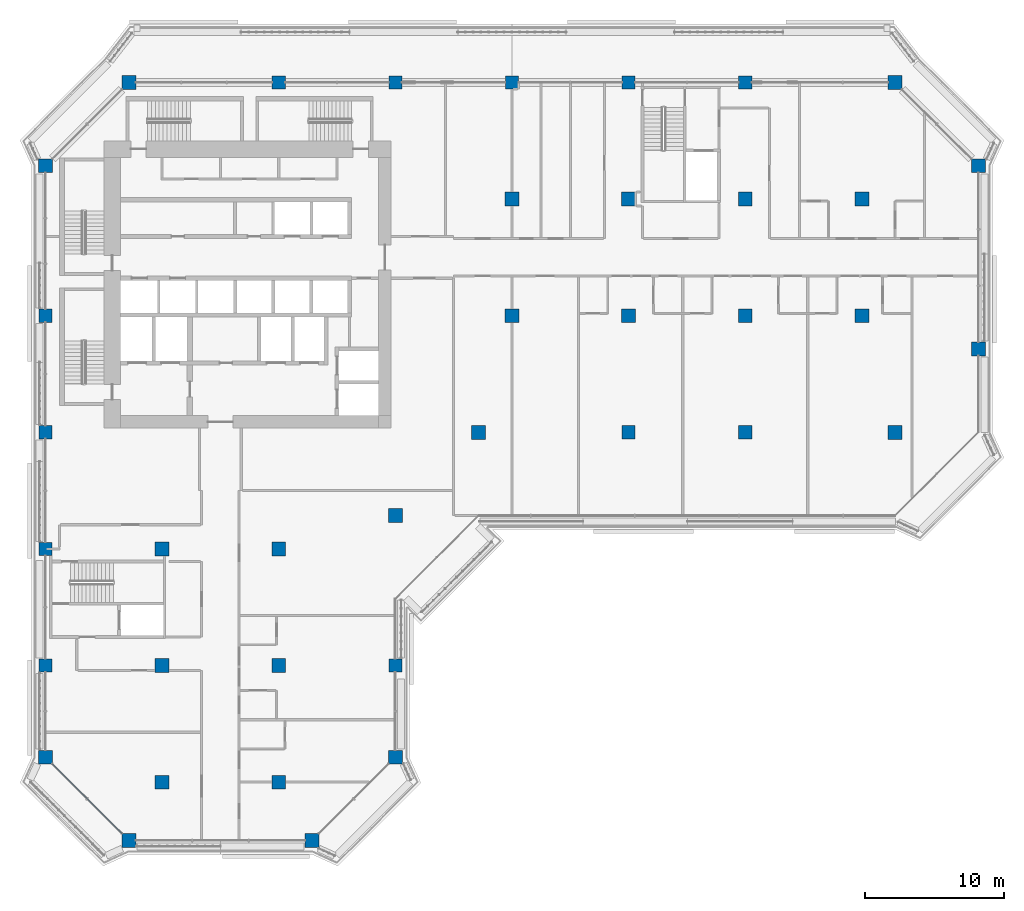
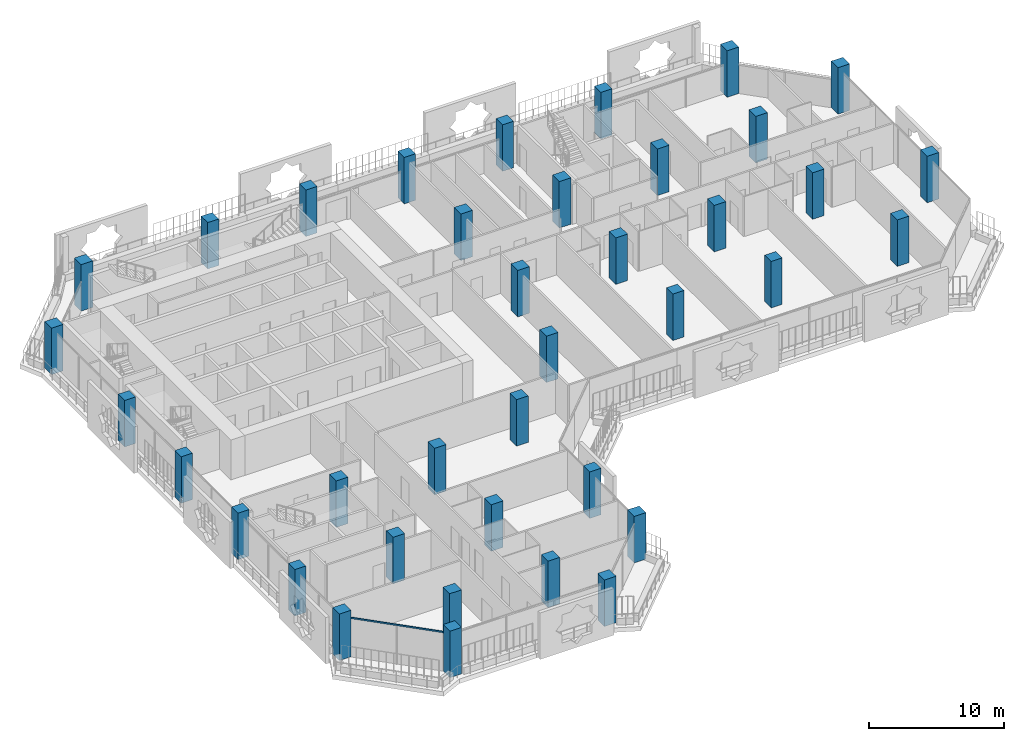
# One storey, part 1 of 22: 38 columns, 1 member, 1 element without a shape of its own.
"""IFC4 building model written with IfcOpenShell, lengths in metres."""

from ifc_helpers import new_model, si_unit, direction, frame, origin, origin_2d, place, context, subcontext, project, spatial, rectangle, extrude, material, layer, layer_set, material_profile, profile_set, type_object, element, aggregate, save


model = new_model("IFC4")

# Units and contexts
model_context = context("Model", 3, precision=1e-05, world=origin(), true_north=direction((0.0, 1.0)))
body_context = subcontext(model_context, "Body", "Model", "MODEL_VIEW")
ifc_project = project(units=[si_unit("LENGTHUNIT", "METRE"), si_unit("AREAUNIT", "SQUARE_METRE"), si_unit("VOLUMEUNIT", "CUBIC_METRE"), si_unit("PLANEANGLEUNIT", "RADIAN"), si_unit("MASSUNIT", "GRAM", prefix="KILO")], contexts=[model_context])

# Site, building, storey
site_placement = place(None, origin())
site = spatial("IfcSite", under=ifc_project, at=site_placement, CompositionType="ELEMENT")
building_placement = place(site_placement, origin())
building = spatial("IfcBuilding", under=site, at=building_placement, Name="Kawkab Arch Medical Tower", CompositionType="ELEMENT")
storey_placement = place(building_placement, frame((0.0, 0.0, 187.800048828125)))
storey = spatial("IfcBuildingStorey", under=building, at=storey_placement, Name="L43", CompositionType="ELEMENT", Elevation=187.800048828125)

# Columns
ifc_material_1 = material(Name="Concrete C50/60", Category="concrete")
ifc_material_profile_1 = material_profile(ifc_material_1, rectangle(XDim=1.0, YDim=1.0, at=origin_2d()), Name="RC 1000x1000")
ifc_profile_set_1 = profile_set([ifc_material_profile_1], Name="Concrete C50/60")
column_type_1 = type_object("IfcColumnType", Name="RC 1000x1000 column C50/60", PredefinedType="COLUMN", material=ifc_profile_set_1)
for number, where, z_axis, x_axis, name in (
    (1, (6.0, 0.0, 0.0), (0.0, 0.0, 1.0), (1.0, 0.0, 0.0), "Column RC 1000x1000"),
    (2, (61.199951171875, 0.0, 0.0), (0.0, 0.0, 1.0), (1.0, 0.0, 0.0), "Column RC 1000x1000"),
    (3, (0.0, -6.0, 0.0), (0.0, 0.0, 1.0), (1.0, 0.0, 0.0), "Column RC 1000x1000"),
    (4, (67.199951171875, -6.0, 0.0), (0.0, 0.0, 1.0), (1.0, 0.0, 0.0), "Column RC 1000x1000"),
    (5, (33.60009765625, -8.39990234375, 0.0), (0.0, 0.0, 1.0), (1.0, 0.0, 0.0), "Column RC 1000x1000"),
    (6, (42.0, -8.39990234375, 0.0), (0.0, 0.0, 1.0), (1.0, 0.0, 0.0), "Column RC 1000x1000"),
    (7, (50.39990234375, -8.39990234375, 0.0), (0.0, 0.0, 1.0), (1.0, 0.0, 0.0), "Column RC 1000x1000"),
    (8, (58.800048828125, -8.39990234375, 0.0), (0.0, 0.0, 1.0), (1.0, 0.0, 0.0), "Column RC 1000x1000"),
    (9, (33.60009765625, -16.800048828125, 0.0), (0.0, 0.0, 1.0), (1.0, 0.0, 0.0), "Column RC 1000x1000"),
    (10, (42.0, -16.800048828125, 0.0), (0.0, 0.0, 1.0), (1.0, 0.0, 0.0), "Column RC 1000x1000"),
    (11, (50.39990234375, -16.800048828125, 0.0), (0.0, 0.0, 1.0), (1.0, 0.0, 0.0), "Column RC 1000x1000"),
    (12, (58.800048828125, -16.800048828125, 0.0), (0.0, 0.0, 1.0), (1.0, 0.0, 0.0), "Column RC 1000x1000"),
    (13, (67.199951171875, -19.199951171875, 0.0), (0.0, 0.0, 1.0), (1.0, 0.0, 0.0), "Column RC 1000x1000"),
    (14, (31.199951171875, -25.199951171875, 0.0), (0.0, 0.0, 1.0), (1.0, 0.0, 0.0), "Column RC 1000x1000"),
    (15, (61.199951171875, -25.199951171875, 0.0), (0.0, 0.0, 1.0), (1.0, 0.0, 0.0), "Column RC 1000x1000"),
    (16, (25.199951171875, -31.199951171875, 0.0), (0.0, 0.0, 1.0), (1.0, 0.0, 0.0), "Column RC 1000x1000"),
    (17, (8.39990234375, -33.60009765625, 0.0), (0.0, 0.0, 1.0), (1.0, 0.0, 0.0), "Column RC 1000x1000"),
    (18, (16.800048828125, -33.60009765625, 0.0), (0.0, 0.0, 1.0), (1.0, 0.0, 0.0), "Column RC 1000x1000"),
    (19, (8.39990234375, -42.0, 0.0), (0.0, 0.0, 1.0), (1.0, 0.0, 0.0), "Column RC 1000x1000"),
    (20, (16.800048828125, -42.0, 0.0), (0.0, 0.0, 1.0), (1.0, 0.0, 0.0), "Column RC 1000x1000"),
    (21, (0.0, -48.60009765625, 0.0), (0.0, 0.0, 1.0), (1.0, 0.0, 0.0), "Column RC 1000x1000"),
    (22, (25.199951171875, -48.60009765625, 0.0), (0.0, 0.0, 1.0), (1.0, 0.0, 0.0), "Column RC 1000x1000"),
    (23, (8.39990234375, -50.39990234375, 0.0), (0.0, 0.0, 1.0), (1.0, 0.0, 0.0), "Column RC 1000x1000"),
    (24, (16.800048828125, -50.39990234375, 0.0), (0.0, 0.0, 1.0), (1.0, 0.0, 0.0), "Column RC 1000x1000"),
    (25, (6.0, -54.60009765625, 0.0), (0.0, 0.0, 1.0), (1.0, 0.0, 0.0), "Column RC 1000x1000"),
    (26, (19.199951171875, -54.60009765625, 0.0), (0.0, 0.0, 1.0), (1.0, 0.0, 0.0), "Column RC 1000x1000"),
):
    element("IfcColumn", number, at=place(storey_placement, frame(where, z_axis=z_axis, x_axis=x_axis)), inside=storey, type_object=column_type_1, Name=name, PredefinedType="COLUMN", context=body_context, shape_type="SweptSolid", body=[
        extrude(rectangle(XDim=1.0, YDim=1.0, at=origin_2d()), origin(), (0.0, 0.0, 1.0), 4.199951171875),
    ])
ifc_material_2 = material(Name="Concrete C50/60", Category="concrete")
ifc_material_profile_2 = material_profile(ifc_material_2, rectangle(XDim=0.949951171875, YDim=0.949951171875, at=origin_2d()), Name="RC 950x950")
ifc_profile_set_2 = profile_set([ifc_material_profile_2], Name="Concrete C50/60")
column_type_2 = type_object("IfcColumnType", Name="RC 950x950 column C50/60", PredefinedType="COLUMN", material=ifc_profile_set_2)
for number, where, z_axis, x_axis, name in (
    (27, (16.800048828125, 0.0, 0.0), (0.0, 0.0, 1.0), (1.0, 0.0, 0.0), "Column RC 950x950"),
    (28, (25.199951171875, 0.0, 0.0), (0.0, 0.0, 1.0), (1.0, 0.0, 0.0), "Column RC 950x950"),
    (29, (33.60009765625, 0.0, 0.0), (0.0, 0.0, 1.0), (1.0, 0.0, 0.0), "Column RC 950x950"),
    (30, (42.0, 0.0, 0.0), (0.0, 0.0, 1.0), (1.0, 0.0, 0.0), "Column RC 950x950"),
    (31, (50.39990234375, 0.0, 0.0), (0.0, 0.0, 1.0), (1.0, 0.0, 0.0), "Column RC 950x950"),
    (32, (0.0, -16.800048828125, 0.0), (0.0, 0.0, 1.0), (1.0, 0.0, 0.0), "Column RC 950x950"),
    (33, (0.0, -25.199951171875, 0.0), (0.0, 0.0, 1.0), (1.0, 0.0, 0.0), "Column RC 950x950"),
    (34, (42.0, -25.199951171875, 0.0), (0.0, 0.0, 1.0), (1.0, 0.0, 0.0), "Column RC 950x950"),
    (35, (50.39990234375, -25.199951171875, 0.0), (0.0, 0.0, 1.0), (1.0, 0.0, 0.0), "Column RC 950x950"),
    (36, (0.0, -33.60009765625, 0.0), (0.0, 0.0, 1.0), (1.0, 0.0, 0.0), "Column RC 950x950"),
    (37, (0.0, -42.0, 0.0), (0.0, 0.0, 1.0), (1.0, 0.0, 0.0), "Column RC 950x950"),
    (38, (25.199951171875, -42.0, 0.0), (0.0, 0.0, 1.0), (1.0, 0.0, 0.0), "Column RC 950x950"),
):
    element("IfcColumn", number, at=place(storey_placement, frame(where, z_axis=z_axis, x_axis=x_axis)), inside=storey, type_object=column_type_2, Name=name, PredefinedType="COLUMN", context=body_context, shape_type="SweptSolid", body=[
        extrude(rectangle(XDim=0.949951171875, YDim=0.949951171875, at=origin_2d()), origin(), (0.0, 0.0, 1.0), 4.199951171875),
    ])

# Curtain wall, member
ifc_material_3 = material(Name="Bronze anodised aluminium curtain wall frame", Category="aluminium")
ifc_layer = layer(ifc_material_3, 0.159912109375)
ifc_layer_set = layer_set([ifc_layer], Name="Bronze anodised aluminium curtain wall frame")
curtain_wall_type = type_object("IfcCurtainWallType", Name="CW2 chamfer curtain wall", PredefinedType="NOTDEFINED", material=ifc_layer_set)
curtain_wall_placement = place(storey_placement, origin())
curtain_wall = element("IfcCurtainWall", 39, at=curtain_wall_placement, inside=storey, type_object=curtain_wall_type, Name="CW2 Chamfer curtain wall R02", PredefinedType="NOTDEFINED")
ifc_material_4 = material(Name="Bronze anodised aluminium curtain wall frame", Category="aluminium")
ifc_material_profile_3 = material_profile(ifc_material_4, rectangle(XDim=0.06005859375, YDim=0.139892578125, at=origin_2d()), Name="AL 60x140")
ifc_profile_set_3 = profile_set([ifc_material_profile_3], Name="Bronze anodised aluminium curtain wall frame")
member_type = type_object("IfcMemberType", Name="CW2 transom 140 x 60", PredefinedType="USERDEFINED", material=ifc_profile_set_3)
member_placement = place(storey_placement, frame((0.5, -49.10009765625, 3.530029296875), z_axis=(0.707106781187, -0.707106781187, 0.0), x_axis=(0.707106781187, 0.707106781187, 0.0)))
member = element("IfcMember", 40, at=member_placement, type_object=member_type, Name="CW2 transom 1", ObjectType="TRANSOM", PredefinedType="USERDEFINED", context=body_context, shape_type="SweptSolid", body=[
    extrude(rectangle(XDim=0.06005859375, YDim=0.139892578125, at=origin_2d()), origin(), (0.0, 0.0, 1.0), 7.071044921875),
])
aggregate(curtain_wall, [member])

save(model, "model.ifc")
